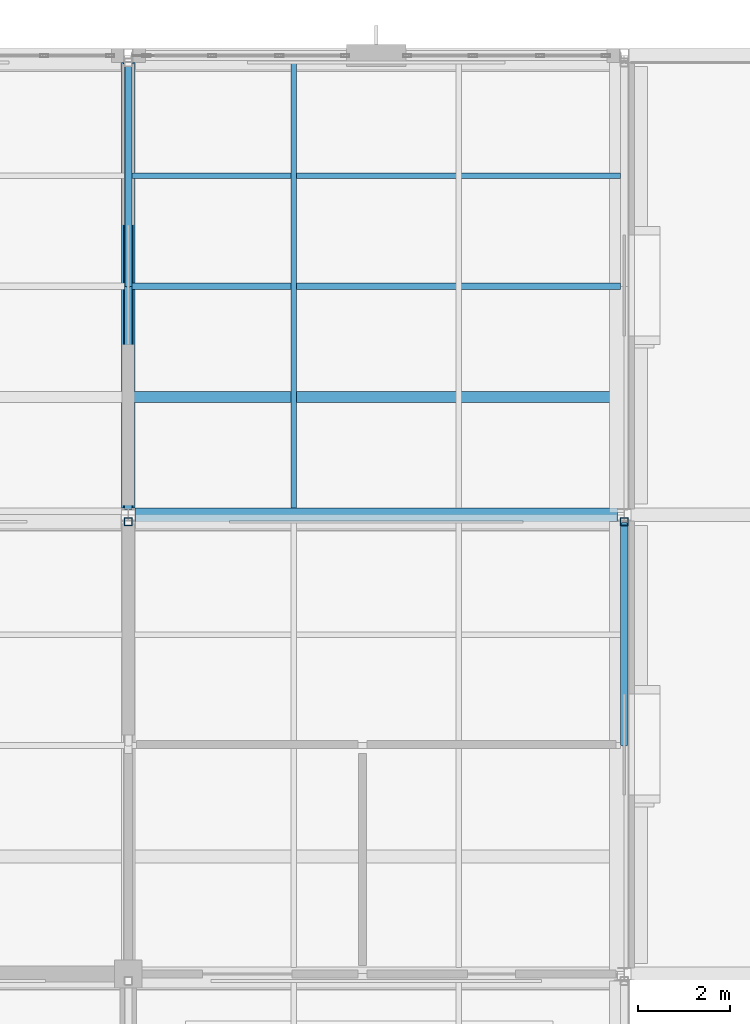
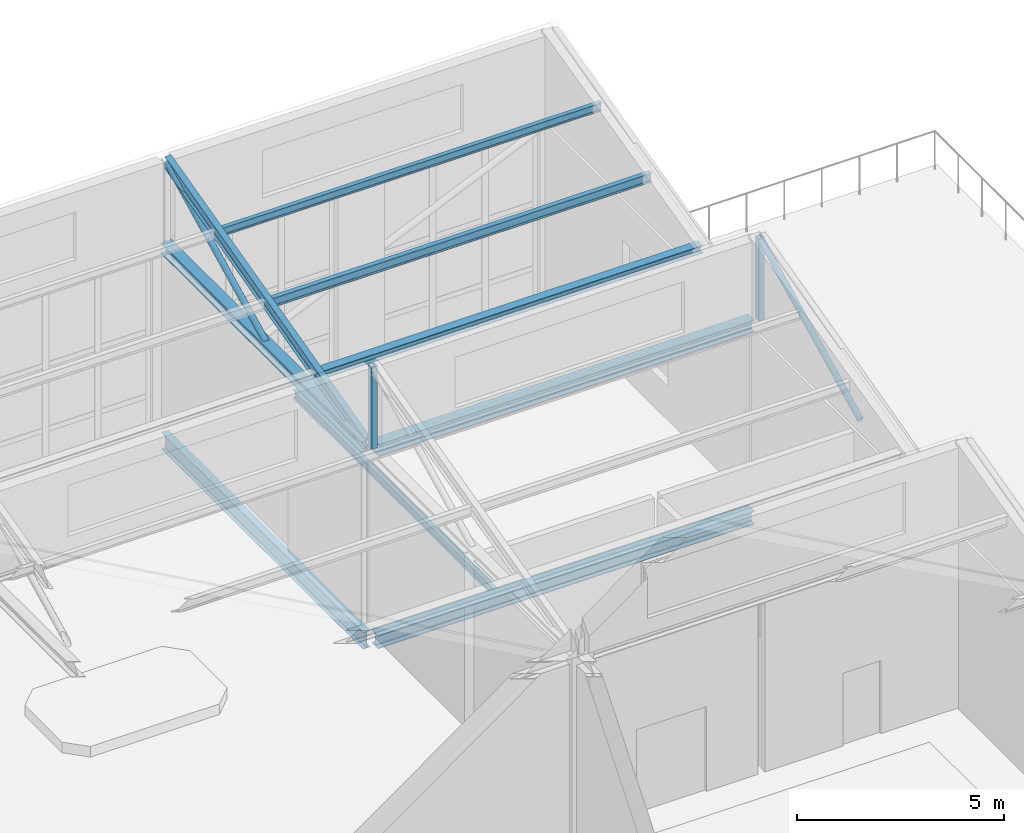
# One storey, part 28 of 49: 9 members, 4 beams.
"""IFC4 building model written with IfcOpenShell, lengths in metres."""

import ifcopenshell
import ifcopenshell.guid

model = None  # the IFC model being written
_history = None  # IfcOwnerHistory: only IFC2X3 demands one
_inside = {}  # id of a spatial element -> (the spatial element, [elements in it])
_under = {}  # id of a project, library or spatial element -> (it, [spatial elements below it])
_declared = {}  # id of a project -> (the project, [libraries it declares])
_typed = {}  # id of a type object -> (the type object, [elements of that type])
_made_of = {}  # id of a material, layer set ... -> (it, [elements and type objects made of it])


def new_model(schema):
    """Start an empty IFC model of exactly this schema.

    Asked for "IFC4X3", IfcOpenShell would pick the latest addendum, in which some entities
    have other attributes; the version numbers below select the first issue.
    IFC2X3 requires an IfcOwnerHistory on every rooted entity: one is made here for all.
    """
    global model, _history
    if schema == "IFC4X3":
        model = ifcopenshell.file(schema_version=(4, 3, 0, 0))
    else:
        model = ifcopenshell.file(schema=schema)
    _inside.clear()
    _under.clear()
    _declared.clear()
    _typed.clear()
    _made_of.clear()
    _history = None
    if model.schema == "IFC2X3":
        org = make("IfcOrganization", Name="unknown")
        user = make(
            "IfcPersonAndOrganization",
            ThePerson=make("IfcPerson", FamilyName="unknown"),
            TheOrganization=org,
        )
        app = make(
            "IfcApplication",
            ApplicationDeveloper=org,
            Version="unknown",
            ApplicationFullName="unknown",
            ApplicationIdentifier="unknown",
        )
        _history = make(
            "IfcOwnerHistory",
            OwningUser=user,
            OwningApplication=app,
            ChangeAction="ADDED",
            CreationDate=0,
        )
    return model


def make(cls, **values):
    """One entity of the class cls with the attributes given. An attribute that is None is left unset."""
    return model.create_entity(
        cls, **{name: value for name, value in values.items() if value is not None}
    )


def rooted(cls, **values):
    """An entity with a GlobalId (a new one), such as an element, a storey or a relation."""
    return make(cls, GlobalId=ifcopenshell.guid.new(), OwnerHistory=_history, **values)


def si_unit(unit_type, name, prefix=None):
    """IfcSIUnit, for example si_unit("LENGTHUNIT", "METRE", prefix="MILLI")."""
    return make("IfcSIUnit", UnitType=unit_type, Prefix=prefix, Name=name)


def assignment(units):
    """IfcUnitAssignment: the units of a project."""
    return None if units is None else make("IfcUnitAssignment", Units=units)


def point(xyz):
    """IfcCartesianPoint."""
    return None if xyz is None else make("IfcCartesianPoint", Coordinates=xyz)


def direction(xyz):
    """IfcDirection."""
    return None if xyz is None else make("IfcDirection", DirectionRatios=xyz)


def frame(location, z_axis=None, x_axis=None):
    """IfcAxis2Placement3D, a coordinate frame: its origin and axes. An axis left out is left unset."""
    return make(
        "IfcAxis2Placement3D",
        Location=point(location),
        Axis=direction(z_axis),
        RefDirection=direction(x_axis),
    )


def frame_2d(location, x_axis=None):
    """IfcAxis2Placement2D, a coordinate frame in the plane: its origin and x axis."""
    return make(
        "IfcAxis2Placement2D", Location=point(location), RefDirection=direction(x_axis)
    )


def origin():
    """The frame at (0, 0, 0) with its axes left unset."""
    return frame((0.0, 0.0, 0.0))


def origin_2d():
    """The frame at (0, 0) in the plane with its x axis left unset."""
    return frame_2d((0.0, 0.0))


def place(relative_to, where):
    """IfcLocalPlacement: puts the frame where relative to a parent placement (None: the world)."""
    return make(
        "IfcLocalPlacement", PlacementRelTo=relative_to, RelativePlacement=where
    )


def context(
    kind, dimensions, precision=None, world=None, true_north=None, identifier=None
):
    """IfcGeometricRepresentationContext, for example the 3D "Model" context."""
    return make(
        "IfcGeometricRepresentationContext",
        ContextIdentifier=identifier,
        ContextType=kind,
        CoordinateSpaceDimension=dimensions,
        Precision=precision,
        WorldCoordinateSystem=world,
        TrueNorth=true_north,
    )


def subcontext(parent, identifier, kind, view, scale=None):
    """IfcGeometricRepresentationSubContext, for example "Body" below "Model"."""
    return make(
        "IfcGeometricRepresentationSubContext",
        ContextIdentifier=identifier,
        ContextType=kind,
        ParentContext=parent,
        TargetScale=scale,
        TargetView=view,
    )


def project(units=None, contexts=None):
    """IfcProject with its units and contexts."""
    return rooted(
        "IfcProject",
        Name="project",
        RepresentationContexts=contexts,
        UnitsInContext=assignment(units),
    )


def spatial(cls, under=None, at=None, **own):
    """A site, building, storey or space (cls), placed at a placement, below another one or the project."""
    s = rooted(cls, ObjectPlacement=at, **own)
    if under is not None:
        _under.setdefault(under.id(), (under, []))[1].append(s)
    return s


def profile(cls, at=None, kind="AREA", **sizes):
    """A parametric profile (cls). Its sizes go by their IFC names, for example OverallWidth=200.0."""
    return make(cls, ProfileType=kind, Position=at, **sizes)


def hollow_rectangle(**sizes):
    """IfcRectangleHollowProfileDef."""
    return profile("IfcRectangleHollowProfileDef", **sizes)


def hollow_circle(**sizes):
    """IfcCircleHollowProfileDef."""
    return profile("IfcCircleHollowProfileDef", **sizes)


def i_section(**sizes):
    """IfcIShapeProfileDef."""
    return profile("IfcIShapeProfileDef", **sizes)


def extrude(swept, where, along, depth):
    """IfcExtrudedAreaSolid: the profile swept, set in the frame where, extruded along a direction by depth."""
    return make(
        "IfcExtrudedAreaSolid",
        SweptArea=swept,
        Position=where,
        ExtrudedDirection=direction(along),
        Depth=depth,
    )


def shape(context_of_items, identifier, shape_type, items):
    """IfcShapeRepresentation: the items that make up one representation, for example the "Body"."""
    return make(
        "IfcShapeRepresentation",
        ContextOfItems=context_of_items,
        RepresentationIdentifier=identifier,
        RepresentationType=shape_type,
        Items=items,
    )


def material(Name=None, Category=None):
    """IfcMaterial."""
    return make("IfcMaterial", Name=Name, Category=Category)


def material_profile(
    of_material, cross_section, Name=None, Category=None, Priority=None
):
    """IfcMaterialProfile: a cross section and its material."""
    return make(
        "IfcMaterialProfile",
        Name=Name,
        Material=of_material,
        Profile=cross_section,
        Priority=Priority,
        Category=Category,
    )


def profile_set(profiles, Name=None, composite=None):
    """IfcMaterialProfileSet."""
    return make(
        "IfcMaterialProfileSet",
        Name=Name,
        MaterialProfiles=profiles,
        CompositeProfile=composite,
    )


def made_of(thing, what):
    """Note that an element or type object is made of a material, layer set ...; save() writes the relation."""
    if what is not None:
        _made_of.setdefault(what.id(), (what, []))[1].append(thing)
    return thing


def type_object(cls, material=None, **own):
    """A type object (cls), such as IfcWallType, which elements share."""
    return made_of(rooted(cls, **own), material)


def element(
    cls,
    number,
    at=None,
    inside=None,
    cuts=None,
    type_object=None,
    material=None,
    context=None,
    identifier="Body",
    shape_type=None,
    held_by="IfcProductDefinitionShape",
    body=None,
    shapes=None,
    **own,
):
    """One element of the class cls, such as IfcWall. Its Tag is "e" and its number.

    at: its placement. inside: the storey or other place that contains it. cuts: it is an
    opening in that element (IfcRelVoidsElement). A single representation is given by context,
    identifier, shape_type and body (its items); several are given by shapes. held_by: the class
    of the entity that holds the representations. save() writes the other relations.
    """
    e = rooted(cls, Tag="e%d" % number, ObjectPlacement=at, **own)
    if body is not None:
        shapes = [shape(context, identifier, shape_type, body)]
    if shapes is not None:
        e.Representation = make(held_by, Representations=shapes)
    if inside is not None:
        _inside.setdefault(inside.id(), (inside, []))[1].append(e)
    if cuts is not None:
        rooted(
            "IfcRelVoidsElement", RelatingBuildingElement=cuts, RelatedOpeningElement=e
        )
    if type_object is not None:
        _typed.setdefault(type_object.id(), (type_object, []))[1].append(e)
    return made_of(e, material)


def aggregate(whole, parts):
    """IfcRelAggregates: a whole, such as a stair, and the parts it consists of."""
    return rooted("IfcRelAggregates", RelatingObject=whole, RelatedObjects=parts)


def save(model, path):
    """Write the relations noted so far, then the file.

    IfcRelAggregates (storeys below a building ...), IfcRelContainedInSpatialStructure (elements
    in a storey), IfcRelDefinesByType, IfcRelAssociatesMaterial and IfcRelDeclares: one each for
    every whole, place, type object, material and project.
    """
    for whole, parts in _under.values():
        aggregate(whole, parts)
    for where, things in _inside.values():
        rooted(
            "IfcRelContainedInSpatialStructure",
            RelatedElements=things,
            RelatingStructure=where,
        )
    for kind, things in _typed.values():
        rooted("IfcRelDefinesByType", RelatedObjects=things, RelatingType=kind)
    for what, things in _made_of.values():
        rooted("IfcRelAssociatesMaterial", RelatedObjects=things, RelatingMaterial=what)
    for by, libraries in _declared.values():
        rooted("IfcRelDeclares", RelatingContext=by, RelatedDefinitions=libraries)
    model.write(path)


model = new_model("IFC4")

# Units and contexts
model_context = context("Model", 3, precision=1e-05, world=origin(), true_north=direction((0.0, 1.0)))
body_context = subcontext(model_context, "Body", "Model", "MODEL_VIEW")
ifc_project = project(units=[si_unit("LENGTHUNIT", "METRE"), si_unit("AREAUNIT", "SQUARE_METRE"), si_unit("VOLUMEUNIT", "CUBIC_METRE"), si_unit("PLANEANGLEUNIT", "RADIAN"), si_unit("MASSUNIT", "GRAM", prefix="KILO")], contexts=[model_context])

# Site, building, storey
site_placement = place(None, origin())
site = spatial("IfcSite", under=ifc_project, at=site_placement, CompositionType="ELEMENT")
building_placement = place(site_placement, origin())
building = spatial("IfcBuilding", under=site, at=building_placement, Name="Tasgan Crest Museum", CompositionType="ELEMENT")
storey_placement = place(building_placement, frame((0.0, 0.0, 28.800048828125)))
storey = spatial("IfcBuildingStorey", under=building, at=storey_placement, Name="L05", CompositionType="ELEMENT", Elevation=28.800048828125)

# Beams
ifc_material_1 = material(Name="Steel S355J2", Category="steel")
ifc_material_profile_1 = material_profile(ifc_material_1, i_section(OverallWidth=0.300048828125, OverallDepth=0.35009765625, WebThickness=0.009521484375, FlangeThickness=0.017578125, FilletRadius=0.027099609375, at=origin_2d()), Name="HEA 360")
ifc_profile_set_1 = profile_set([ifc_material_profile_1], Name="Steel S355J2")
beam_type_1 = type_object("IfcBeamType", Name="BM-G-HEA360", PredefinedType="BEAM", material=ifc_profile_set_1)
beam_1_placement = place(storey_placement, frame((64.949951171875, 102.0, 5.219970703125), z_axis=(1.0, 0.0, 0.0), x_axis=(0.0, 1.0, 0.0)))
element("IfcBeam", 1, at=beam_1_placement, inside=storey, type_object=beam_type_1, Name="Sawtooth valley girder B3 64.8-75.6", PredefinedType="BEAM", context=body_context, shape_type="SweptSolid", body=[
    extrude(i_section(OverallWidth=0.300048828125, OverallDepth=0.35009765625, WebThickness=0.009521484375, FlangeThickness=0.017578125, FilletRadius=0.027099609375, at=origin_2d()), origin(), (0.0, 0.0, 1.0), 10.5),
])
ifc_material_2 = material(Name="Steel S355J2", Category="steel")
ifc_material_profile_2 = material_profile(ifc_material_2, i_section(OverallWidth=0.300048828125, OverallDepth=0.389892578125, WebThickness=0.010986328125, FlangeThickness=0.01904296875, FilletRadius=0.027099609375, at=origin_2d()), Name="HEA 400")
ifc_profile_set_2 = profile_set([ifc_material_profile_2], Name="Steel S355J2")
beam_type_2 = type_object("IfcBeamType", Name="BM-G-HEA400", PredefinedType="BEAM", material=ifc_profile_set_2)
beam_2_placement = place(storey_placement, frame((64.946044921875, 102.0, -0.43505859375), z_axis=(1.0, 0.0, 0.0), x_axis=(0.0, 1.0, 0.0)))
element("IfcBeam", 2, at=beam_2_placement, inside=storey, type_object=beam_type_2, Name="Girder L05 L 64.8-75.6", PredefinedType="BEAM", context=body_context, shape_type="SweptSolid", body=[
    extrude(i_section(OverallWidth=0.300048828125, OverallDepth=0.389892578125, WebThickness=0.010986328125, FlangeThickness=0.01904296875, FilletRadius=0.027099609375, at=origin_2d()), origin(), (0.0, 0.0, 1.0), 10.508056640625),
])
ifc_material_3 = material(Name="Steel S355J2", Category="steel")
ifc_material_profile_3 = material_profile(ifc_material_3, i_section(OverallWidth=0.199951171875, OverallDepth=0.5, WebThickness=0.01025390625, FlangeThickness=0.01611328125, FilletRadius=0.02099609375, at=origin_2d()), Name="IPE 500")
ifc_profile_set_3 = profile_set([ifc_material_profile_3], Name="Steel S355J2")
beam_type_3 = type_object("IfcBeamType", Name="BM-G-IPE500", PredefinedType="BEAM", material=ifc_profile_set_3)
beam_3_placement = place(storey_placement, frame((64.800048828125, 102.14990234375, -0.489990234375), z_axis=(0.0, 1.0, 0.0), x_axis=(-1.0, 0.0, 0.0)))
element("IfcBeam", 3, at=beam_3_placement, inside=storey, type_object=beam_type_3, Name="Beam L05 7 102.0-112.0", PredefinedType="BEAM", context=body_context, shape_type="SweptSolid", body=[
    extrude(i_section(OverallWidth=0.199951171875, OverallDepth=0.5, WebThickness=0.01025390625, FlangeThickness=0.01611328125, FilletRadius=0.02099609375, at=origin_2d()), origin(), (0.0, 0.0, 1.0), 9.7451171875),
])
ifc_material_4 = material(Name="Steel S355J2", Category="steel")
ifc_material_profile_4 = material_profile(ifc_material_4, i_section(OverallWidth=0.1201171875, OverallDepth=0.239990234375, WebThickness=0.006103515625, FlangeThickness=0.009765625, FilletRadius=0.014892578125, at=origin_2d()), Name="IPE 240")
ifc_profile_set_4 = profile_set([ifc_material_profile_4], Name="Steel S355J2")
beam_type_4 = type_object("IfcBeamType", Name="BM-J-IPE240", PredefinedType="JOIST", material=ifc_profile_set_4)
beam_4_placement = place(storey_placement, frame((68.39990234375, 102.14501953125, -0.360107421875), z_axis=(0.0, 1.0, 0.0), x_axis=(-1.0, 0.0, 0.0)))
element("IfcBeam", 4, at=beam_4_placement, inside=storey, type_object=beam_type_4, Name="Secondary joist L05 X=68.4 Y=102.0-112.0", PredefinedType="JOIST", context=body_context, shape_type="SweptSolid", body=[
    extrude(i_section(OverallWidth=0.1201171875, OverallDepth=0.239990234375, WebThickness=0.006103515625, FlangeThickness=0.009765625, FilletRadius=0.014892578125, at=origin_2d()), origin(), (0.0, 0.0, 1.0), 9.7099609375),
])

# Members
ifc_material_5 = material(Name="Steel S355J2", Category="steel")
ifc_material_profile_5 = material_profile(ifc_material_5, i_section(OverallWidth=0.239990234375, OverallDepth=0.22998046875, WebThickness=0.007568359375, FlangeThickness=0.011962890625, FilletRadius=0.02099609375, at=origin_2d()), Name="HEA 240")
ifc_profile_set_5 = profile_set([ifc_material_profile_5], Name="Steel S355J2")
member_type_1 = type_object("IfcMemberType", Name="MEM-PUR-HEA240", PredefinedType="PURLIN", material=ifc_profile_set_5)
member_1_placement = place(storey_placement, frame((64.885009765625, 104.5625, 5.889892578125), z_axis=(1.0, 0.0, 0.0), x_axis=(0.0, 1.0, 0.0)))
element("IfcMember", 5, at=member_1_placement, inside=storey, type_object=member_type_1, Name="Sawtooth roof purlin B3 64.8-75.6 P1", PredefinedType="PURLIN", context=body_context, shape_type="SweptSolid", body=[
    extrude(i_section(OverallWidth=0.239990234375, OverallDepth=0.22998046875, WebThickness=0.007568359375, FlangeThickness=0.011962890625, FilletRadius=0.02099609375, at=origin_2d()), origin(), (0.0, 0.0, 1.0), 10.6298828125),
])
ifc_material_6 = material(Name="Steel S355J2", Category="steel")
ifc_material_profile_6 = material_profile(ifc_material_6, i_section(OverallWidth=0.1201171875, OverallDepth=0.239990234375, WebThickness=0.006103515625, FlangeThickness=0.009765625, FilletRadius=0.014892578125, at=origin_2d()), Name="IPE 240")
ifc_profile_set_6 = profile_set([ifc_material_profile_6], Name="Steel S355J2")
member_type_2 = type_object("IfcMemberType", Name="MEM-PURLIN-240", PredefinedType="PURLIN", material=ifc_profile_set_6)
member_2_placement = place(storey_placement, frame((64.885009765625, 109.387451171875, 7.1298828125), z_axis=(1.0, 0.0, 0.0), x_axis=(0.0, 1.0, 0.0)))
element("IfcMember", 6, at=member_2_placement, inside=storey, type_object=member_type_2, Name="Sawtooth roof purlin B3 64.8-75.6 P3", PredefinedType="PURLIN", context=body_context, shape_type="SweptSolid", body=[
    extrude(i_section(OverallWidth=0.1201171875, OverallDepth=0.239990234375, WebThickness=0.006103515625, FlangeThickness=0.009765625, FilletRadius=0.014892578125, at=origin_2d()), origin(), (0.0, 0.0, 1.0), 10.6298828125),
])
ifc_material_7 = material(Name="Steel S355J2", Category="steel")
ifc_material_profile_7 = material_profile(ifc_material_7, i_section(OverallWidth=0.135009765625, OverallDepth=0.27001953125, WebThickness=0.006591796875, FlangeThickness=0.01025390625, FilletRadius=0.014892578125, at=origin_2d()), Name="IPE 270")
ifc_profile_set_7 = profile_set([ifc_material_profile_7], Name="Steel S355J2")
member_type_3 = type_object("IfcMemberType", Name="MEM-PURLIN-270", PredefinedType="PURLIN", material=ifc_profile_set_7)
member_3_placement = place(storey_placement, frame((64.885009765625, 106.97509765625, 6.510009765625), z_axis=(1.0, 0.0, 0.0), x_axis=(0.0, 1.0, 0.0)))
element("IfcMember", 7, at=member_3_placement, inside=storey, type_object=member_type_3, Name="Sawtooth roof purlin B3 64.8-75.6 P2", PredefinedType="PURLIN", context=body_context, shape_type="SweptSolid", body=[
    extrude(i_section(OverallWidth=0.135009765625, OverallDepth=0.27001953125, WebThickness=0.006591796875, FlangeThickness=0.01025390625, FilletRadius=0.014892578125, at=origin_2d()), origin(), (0.0, 0.0, 1.0), 10.6298828125),
])
ifc_material_8 = material(Name="Steel S355K2", Category="steel")
ifc_material_profile_8 = material_profile(ifc_material_8, i_section(OverallWidth=0.300048828125, OverallDepth=0.31005859375, WebThickness=0.009033203125, FlangeThickness=0.015380859375, FilletRadius=0.027099609375, at=origin_2d()), Name="HEA 320")
ifc_profile_set_8 = profile_set([ifc_material_profile_8], Name="Steel S355K2")
member_type_4 = type_object("IfcMemberType", Name="TR-SAW-CHORD", PredefinedType="CHORD", material=ifc_profile_set_8)
member_4_placement = place(storey_placement, frame((64.800048828125, 102.14990234375, 5.239990234375), z_axis=(0.0, 1.0, 0.0), x_axis=(-1.0, 0.0, 0.0)))
element("IfcMember", 8, at=member_4_placement, inside=storey, type_object=member_type_4, Name="Roof truss bottom chord B3 7", PredefinedType="CHORD", context=body_context, shape_type="SweptSolid", body=[
    extrude(i_section(OverallWidth=0.300048828125, OverallDepth=0.31005859375, WebThickness=0.009033203125, FlangeThickness=0.015380859375, FilletRadius=0.027099609375, at=origin_2d()), origin(), (0.0, 0.0, 1.0), 9.7001953125),
])
ifc_material_9 = material(Name="Steel S355K2", Category="steel")
ifc_material_profile_9 = material_profile(ifc_material_9, hollow_circle(Radius=0.084228515625, WallThickness=0.008056640625, at=origin_2d()), Name="CHS 168.3x8")
ifc_profile_set_9 = profile_set([ifc_material_profile_9], Name="Steel S355K2")
member_type_5 = type_object("IfcMemberType", Name="TR-SAW-DIAG", PredefinedType="BRACE", material=ifc_profile_set_9)
for number, where, z_axis, x_axis, name in (
    (9, (75.60009765625, 97.0, 5.349853515625), (0.0, 0.894418092416, 0.447231792205), (-1.0, 0.0, 0.0), "Roof truss diagonal B2 8"),
    (10, (64.800048828125, 107.0, 5.349853515625), (0.0, 0.894418092416, 0.447231792205), (-1.0, 0.0, 0.0), "Roof truss diagonal B3 7"),
):
    element("IfcMember", number, at=place(storey_placement, frame(where, z_axis=z_axis, x_axis=x_axis)), inside=storey, type_object=member_type_5, Name=name, PredefinedType="BRACE", context=body_context, shape_type="SweptSolid", body=[
        extrude(hollow_circle(Radius=0.084228515625, WallThickness=0.008056640625, at=origin_2d()), origin(), (0.0, 0.0, 1.0), 5.36669921875),
    ])
ifc_material_10 = material(Name="Steel S355K2", Category="steel")
ifc_material_profile_10 = material_profile(ifc_material_10, hollow_rectangle(XDim=0.179931640625, YDim=0.179931640625, WallThickness=0.010009765625, InnerFilletRadius=0.010009765625, OuterFilletRadius=0.02001953125, at=origin_2d()), Name="SHS 180x180x10")
ifc_profile_set_10 = profile_set([ifc_material_profile_10], Name="Steel S355K2")
member_type_6 = type_object("IfcMemberType", Name="TR-SAW-POST", PredefinedType="POST", material=ifc_profile_set_10)
for number, where, z_axis, x_axis, name in (
    (11, (64.800048828125, 101.85009765625, 5.389892578125), (0.0, 0.0, 1.0), (1.0, 0.0, 0.0), "Roof truss north post B2 7"),
    (12, (75.60009765625, 101.85009765625, 5.389892578125), (0.0, 0.0, 1.0), (1.0, 0.0, 0.0), "Roof truss north post B2 8"),
):
    element("IfcMember", number, at=place(storey_placement, frame(where, z_axis=z_axis, x_axis=x_axis)), inside=storey, type_object=member_type_6, Name=name, PredefinedType="POST", context=body_context, shape_type="SweptSolid", body=[
        extrude(hollow_rectangle(XDim=0.179931640625, YDim=0.179931640625, WallThickness=0.010009765625, InnerFilletRadius=0.010009765625, OuterFilletRadius=0.02001953125, at=origin_2d()), origin(), (0.0, 0.0, 1.0), 2.41015625),
    ])
ifc_material_11 = material(Name="Steel S355K2", Category="steel")
ifc_material_profile_11 = material_profile(ifc_material_11, i_section(OverallWidth=0.169921875, OverallDepth=0.360107421875, WebThickness=0.008056640625, FlangeThickness=0.0126953125, FilletRadius=0.01806640625, at=origin_2d()), Name="IPE 360")
ifc_profile_set_11 = profile_set([ifc_material_profile_11], Name="Steel S355K2")
member_type_7 = type_object("IfcMemberType", Name="TR-SAW-RAFTER", PredefinedType="RAFTER", material=ifc_profile_set_11)
member_5_placement = place(storey_placement, frame((64.800048828125, 102.14990234375, 5.320068359375), z_axis=(0.0, 0.968528888954, 0.248901167657), x_axis=(-1.0, 0.0, 0.0)))
element("IfcMember", 13, at=member_5_placement, inside=storey, type_object=member_type_7, Name="Roof truss rafter B3 7", PredefinedType="RAFTER", context=body_context, shape_type="SweptSolid", body=[
    extrude(i_section(OverallWidth=0.169921875, OverallDepth=0.360107421875, WebThickness=0.008056640625, FlangeThickness=0.0126953125, FilletRadius=0.01806640625, at=origin_2d()), origin(), (0.0, 0.0, 1.0), 9.963623046875),
])

save(model, "model.ifc")
